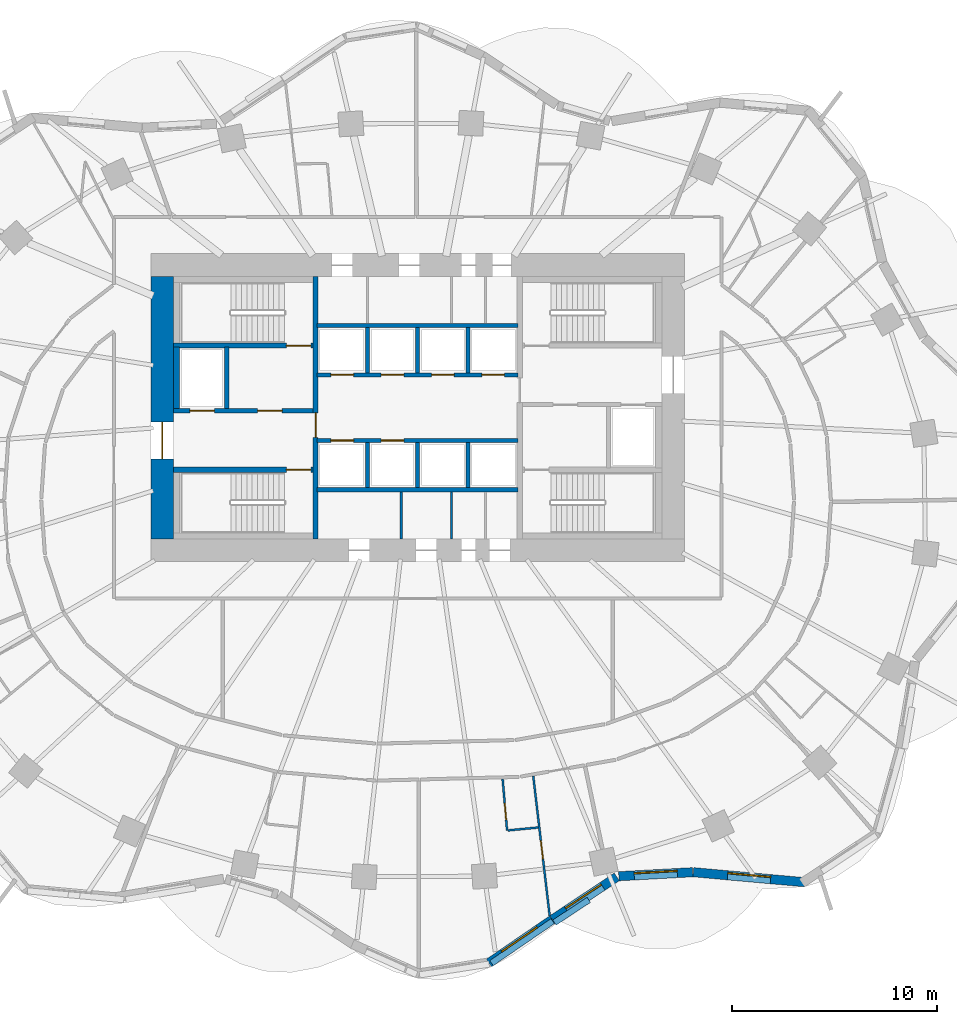
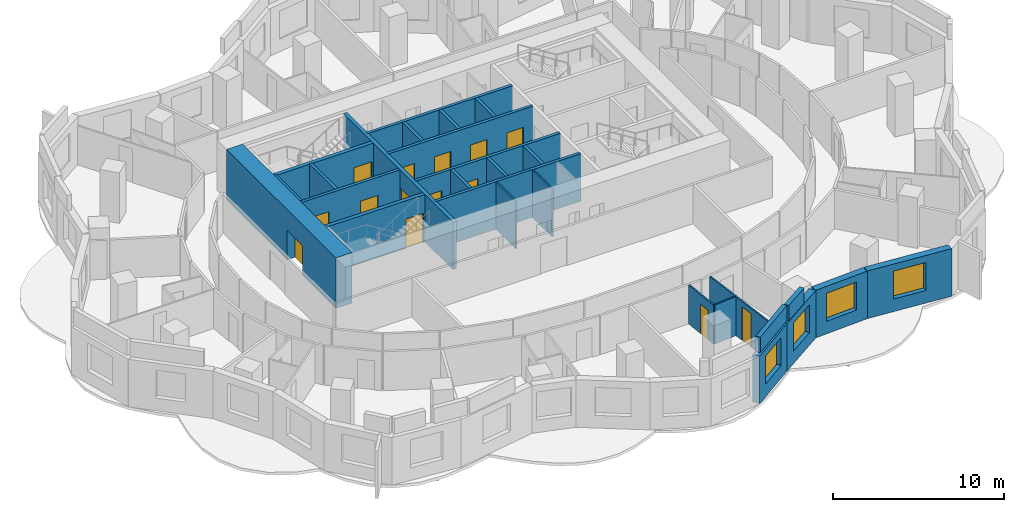
# One storey, part 5 of 11: 28 walls, 14 doors, 4 windows, 18 openings.
"""IFC4 building model written with IfcOpenShell, lengths in metres."""

from ifc_helpers import new_model, si_unit, direction, frame, frame_2d, origin, place, context, subcontext, project, spatial, rectangle, extrude, material, layer, layer_set, type_object, element, fill, save


model = new_model("IFC4")

# Units and contexts
model_context = context("Model", 3, precision=1e-05, world=origin(), true_north=direction((0.0, 1.0)))
body_context = subcontext(model_context, "Body", "Model", "MODEL_VIEW")
ifc_project = project(units=[si_unit("LENGTHUNIT", "METRE"), si_unit("AREAUNIT", "SQUARE_METRE"), si_unit("VOLUMEUNIT", "CUBIC_METRE"), si_unit("PLANEANGLEUNIT", "RADIAN"), si_unit("MASSUNIT", "GRAM", prefix="KILO")], contexts=[model_context])

# Site, building, storey
site_placement = place(None, origin())
site = spatial("IfcSite", under=ifc_project, at=site_placement, CompositionType="ELEMENT")
building_placement = place(site_placement, origin())
building = spatial("IfcBuilding", under=site, at=building_placement, Name="Rubra Terraces Tower", CompositionType="ELEMENT")
storey_placement = place(building_placement, frame((0.0, 0.0, 99.60009765625)))
storey = spatial("IfcBuildingStorey", under=building, at=storey_placement, Name="L23", CompositionType="ELEMENT", Elevation=99.60009765625)

# Wall, opening, window
ifc_material_1 = material(Name="Brick masonry red-brown", Category="masonry")
ifc_layer_1 = layer(ifc_material_1, 0.449951171875)
ifc_layer_set_1 = layer_set([ifc_layer_1], Name="Brick masonry red-brown")
wall_type_1 = type_object("IfcWallType", Name="Brick facade wall 450", PredefinedType="SOLIDWALL", material=ifc_layer_set_1)
wall_1_placement = place(storey_placement, frame((3.478515625, -22.559814453125, 0.0), z_axis=(0.0, 0.0, 1.0), x_axis=(0.824722766417, 0.565537230033, 0.0)))
wall_1 = element("IfcWall", 1, at=wall_1_placement, inside=storey, type_object=wall_type_1, Name="Facade wall L23 bay 32", PredefinedType="SOLIDWALL", context=body_context, shape_type="SweptSolid", body=[
    extrude(rectangle(XDim=3.742431640625, YDim=0.449951171875, at=frame_2d((1.87109375, 0.0))), origin(), (0.0, 0.0, 1.0), 3.39990234375),
])
opening_1_placement = place(wall_1_placement, frame((0.8212890625, 0.0, 0.89990234375)))
opening_1 = element("IfcOpeningElement", 2, at=opening_1_placement, cuts=wall_1, Name="Opening W1", PredefinedType="OPENING", context=body_context, shape_type="SweptSolid", body=[
    extrude(rectangle(XDim=2.10009765625, YDim=2.0, at=frame_2d((1.050048828125, 1.0))), frame((0.0, 0.23486328125, 0.0), z_axis=(0.0, -1.0, 0.0), x_axis=(1.0, 0.0, 0.0)), (0.0, 0.0, 1.0), 0.469970703125),
])
ifc_material_2 = material(Name="Clear glass in aluminium frame", Category="aluminium")
window_type = type_object("IfcWindowType", Name="Fixed deep-set window 2100 x 2000", PartitioningType="SINGLE_PANEL", PredefinedType="WINDOW", material=ifc_material_2)
window_1_placement = place(opening_1_placement, origin())
window_1 = element("IfcWindow", 3, at=window_1_placement, inside=storey, type_object=window_type, Name="Window L23 bay 32", OverallHeight=2.0, OverallWidth=2.10009765625, PartitioningType="SINGLE_PANEL", PredefinedType="WINDOW", context=body_context, shape_type="SweptSolid", body=[
    extrude(rectangle(XDim=2.10009765625, YDim=2.0, at=frame_2d((1.050048828125, 1.0))), frame((0.0, 0.135009765625, 0.0), z_axis=(0.0, -1.0, 0.0), x_axis=(1.0, 0.0, 0.0)), (0.0, 0.0, 1.0), 0.06005859375),
])
fill(opening_1, window_1)

wall_2_placement = place(storey_placement, frame((6.568115234375, -20.44140625, 0.0), z_axis=(0.0, 0.0, 1.0), x_axis=(0.834034214531, 0.551712723246, 0.0)))
wall_2 = element("IfcWall", 4, at=wall_2_placement, inside=storey, type_object=wall_type_1, Name="Facade wall L23 bay 33", PredefinedType="SOLIDWALL", context=body_context, shape_type="SweptSolid", body=[
    extrude(rectangle(XDim=3.75732421875, YDim=0.449951171875, at=frame_2d((1.878662109375, 0.0))), origin(), (0.0, 0.0, 1.0), 3.39990234375),
])
opening_2_placement = place(wall_2_placement, frame((0.82861328125, 0.0, 0.89990234375)))
opening_2 = element("IfcOpeningElement", 5, at=opening_2_placement, cuts=wall_2, Name="Opening W1", PredefinedType="OPENING", context=body_context, shape_type="SweptSolid", body=[
    extrude(rectangle(XDim=2.10009765625, YDim=2.0, at=frame_2d((1.050048828125, 1.0))), frame((0.0, 0.23486328125, 0.0), z_axis=(0.0, -1.0, 0.0), x_axis=(1.0, 0.0, 0.0)), (0.0, 0.0, 1.0), 0.469970703125),
])
window_2_placement = place(opening_2_placement, origin())
window_2 = element("IfcWindow", 6, at=window_2_placement, inside=storey, type_object=window_type, Name="Window L23 bay 33", OverallHeight=2.0, OverallWidth=2.10009765625, PartitioningType="SINGLE_PANEL", PredefinedType="WINDOW", context=body_context, shape_type="SweptSolid", body=[
    extrude(rectangle(XDim=2.10009765625, YDim=2.0, at=frame_2d((1.050048828125, 1.0))), frame((0.0, 0.135009765625, 0.0), z_axis=(0.0, -1.0, 0.0), x_axis=(1.0, 0.0, 0.0)), (0.0, 0.0, 1.0), 0.06005859375),
])
fill(opening_2, window_2)

wall_3_placement = place(storey_placement, frame((9.80322265625, -18.333740234375, 0.0), z_axis=(0.0, 0.0, 1.0), x_axis=(0.998525941495, 0.054276552602, 0.0)))
wall_3 = element("IfcWall", 7, at=wall_3_placement, inside=storey, type_object=wall_type_1, Name="Facade wall L23 bay 34", PredefinedType="SOLIDWALL", context=body_context, shape_type="SweptSolid", body=[
    extrude(rectangle(XDim=3.60302734375, YDim=0.449951171875, at=frame_2d((1.801513671875, 0.0))), origin(), (0.0, 0.0, 1.0), 3.39990234375),
])
opening_3_placement = place(wall_3_placement, frame((0.75146484375, 0.0, 0.89990234375)))
opening_3 = element("IfcOpeningElement", 8, at=opening_3_placement, cuts=wall_3, Name="Opening W1", PredefinedType="OPENING", context=body_context, shape_type="SweptSolid", body=[
    extrude(rectangle(XDim=2.10009765625, YDim=2.0, at=frame_2d((1.050048828125, 1.0))), frame((0.0, 0.23486328125, 0.0), z_axis=(0.0, -1.0, 0.0), x_axis=(1.0, 0.0, 0.0)), (0.0, 0.0, 1.0), 0.469970703125),
])
window_3_placement = place(opening_3_placement, origin())
window_3 = element("IfcWindow", 9, at=window_3_placement, inside=storey, type_object=window_type, Name="Window L23 bay 34", OverallHeight=2.0, OverallWidth=2.10009765625, PartitioningType="SINGLE_PANEL", PredefinedType="WINDOW", context=body_context, shape_type="SweptSolid", body=[
    extrude(rectangle(XDim=2.10009765625, YDim=2.0, at=frame_2d((1.050048828125, 1.0))), frame((0.0, 0.135009765625, 0.0), z_axis=(0.0, -1.0, 0.0), x_axis=(1.0, 0.0, 0.0)), (0.0, 0.0, 1.0), 0.06005859375),
])
fill(opening_3, window_3)

wall_4_placement = place(storey_placement, frame((13.435791015625, -18.1376953125, 0.0), z_axis=(0.0, 0.0, 1.0), x_axis=(0.99598810213, -0.089485755376, 0.0)))
wall_4 = element("IfcWall", 10, at=wall_4_placement, inside=storey, type_object=wall_type_1, Name="Facade wall L23 bay 35", PredefinedType="SOLIDWALL", context=body_context, shape_type="SweptSolid", body=[
    extrude(rectangle(XDim=5.451171875, YDim=0.449951171875, at=frame_2d((2.7255859375, 0.0))), origin(), (0.0, 0.0, 1.0), 3.39990234375),
])
opening_4_placement = place(wall_4_placement, frame((1.675537109375, 0.0, 0.89990234375)))
opening_4 = element("IfcOpeningElement", 11, at=opening_4_placement, cuts=wall_4, Name="Opening W1", PredefinedType="OPENING", context=body_context, shape_type="SweptSolid", body=[
    extrude(rectangle(XDim=2.10009765625, YDim=2.0, at=frame_2d((1.050048828125, 1.0))), frame((0.0, 0.23486328125, 0.0), z_axis=(0.0, -1.0, 0.0), x_axis=(1.0, 0.0, 0.0)), (0.0, 0.0, 1.0), 0.469970703125),
])
window_4_placement = place(opening_4_placement, origin())
window_4 = element("IfcWindow", 12, at=window_4_placement, inside=storey, type_object=window_type, Name="Window L23 bay 35", OverallHeight=2.0, OverallWidth=2.10009765625, PartitioningType="SINGLE_PANEL", PredefinedType="WINDOW", context=body_context, shape_type="SweptSolid", body=[
    extrude(rectangle(XDim=2.10009765625, YDim=2.0, at=frame_2d((1.050048828125, 1.0))), frame((0.0, 0.135009765625, 0.0), z_axis=(0.0, -1.0, 0.0), x_axis=(1.0, 0.0, 0.0)), (0.0, 0.0, 1.0), 0.06005859375),
])
fill(opening_4, window_4)

# Walls
ifc_layer_2 = layer(ifc_material_1, 0.300048828125)
ifc_layer_set_2 = layer_set([ifc_layer_2], Name="Brick masonry red-brown")
wall_type_2 = type_object("IfcWallType", Name="Brick parapet 300", PredefinedType="PARAPET", material=ifc_layer_set_2)
wall_5_placement = place(storey_placement, frame((3.59912109375, -22.56787109375, 3.599853515625), z_axis=(0.0, 0.0, 1.0), x_axis=(0.82476034254, 0.565482428881, 0.0)))
element("IfcWall", 13, at=wall_5_placement, inside=storey, type_object=wall_type_2, Name="Parapet L23 bay 32", PredefinedType="PARAPET", context=body_context, shape_type="SweptSolid", body=[
    extrude(rectangle(XDim=3.61572265625, YDim=0.300048828125, at=frame_2d((1.807861328125, 0.0))), origin(), (0.0, 0.0, 1.0), 1.10009765625),
])
wall_6_placement = place(storey_placement, frame((6.665283203125, -20.593017578125, 3.599853515625), z_axis=(0.0, 0.0, 1.0), x_axis=(0.834027642059, 0.551722658843, 0.0)))
element("IfcWall", 14, at=wall_6_placement, inside=storey, type_object=wall_type_2, Name="Parapet L23 bay 33", PredefinedType="PARAPET", context=body_context, shape_type="SweptSolid", body=[
    extrude(rectangle(XDim=2.008056640625, YDim=0.300048828125, at=frame_2d((1.00390625, 0.0))), origin(), (0.0, 0.0, 1.0), 1.10009765625),
])

# Wall, opening, door
ifc_material_3 = material(Name="Concrete C60", Category="concrete")
ifc_layer_3 = layer(ifc_material_3, 1.10009765625)
ifc_layer_set_3 = layer_set([ifc_layer_3], Name="Concrete C60")
wall_type_3 = type_object("IfcWallType", Name="CORE WALL 1100 C60", PredefinedType="SHEAR", material=ifc_layer_set_3)
wall_7_placement = place(storey_placement, frame((-12.449951171875, -1.89990234375, 0.0), z_axis=(0.0, 0.0, 1.0), x_axis=(0.0, 1.0, 0.0)))
wall_7 = element("IfcWall", 15, at=wall_7_placement, inside=storey, type_object=wall_type_3, Name="CORE WALL W L23", PredefinedType="SHEAR", context=body_context, shape_type="SweptSolid", body=[
    extrude(rectangle(XDim=12.7998046875, YDim=1.10009765625, at=frame_2d((6.39990234375, 0.0))), origin(), (0.0, 0.0, 1.0), 3.599853515625),
])
opening_5_placement = place(wall_7_placement, frame((3.89990234375, 0.0, 0.0)))
opening_5 = element("IfcOpeningElement", 16, at=opening_5_placement, cuts=wall_7, Name="Opening L23.C01", PredefinedType="OPENING", context=body_context, shape_type="SweptSolid", body=[
    extrude(rectangle(XDim=1.800048828125, YDim=2.10009765625, at=frame_2d((0.89990234375, 1.050048828125))), frame((0.0, 0.56005859375, 0.0), z_axis=(0.0, -1.0, 0.0), x_axis=(1.0, 0.0, 0.0)), (0.0, 0.0, 1.0), 1.1201171875),
])
ifc_material_4 = material(Name="Painted steel", Category="steel")
door_type_1 = type_object("IfcDoorType", Name="Fire door 1800x2100 double", OperationType="NOTDEFINED", PredefinedType="DOOR", material=ifc_material_4)
door_1_placement = place(opening_5_placement, origin())
door_1 = element("IfcDoor", 17, at=door_1_placement, inside=storey, type_object=door_type_1, Name="Core entrance door FF1", OperationType="DOUBLE_DOOR_SINGLE_SWING", OverallHeight=2.10009765625, OverallWidth=1.800048828125, PredefinedType="DOOR", context=body_context, shape_type="SweptSolid", body=[
    extrude(rectangle(XDim=1.800048828125, YDim=2.10009765625, at=frame_2d((0.89990234375, 1.050048828125))), frame((0.0, 0.02490234375, 0.0), z_axis=(0.0, -1.0, 0.0), x_axis=(1.0, 0.0, 0.0)), (0.0, 0.0, 1.0), 0.050048828125),
])
fill(opening_5, door_1)

# Wall
ifc_material_5 = material(Name="Concrete C40", Category="concrete")
ifc_layer_4 = layer(ifc_material_5, 0.300048828125)
ifc_layer_set_4 = layer_set([ifc_layer_4], Name="Concrete C40")
wall_type_4 = type_object("IfcWallType", Name="Core lining wall 300 concrete", PredefinedType="SOLIDWALL", material=ifc_layer_set_4)
wall_8_placement = place(storey_placement, frame((-11.75, 4.449951171875, 0.0), z_axis=(0.0, 0.0, 1.0), x_axis=(0.0, 1.0, 0.0)))
element("IfcWall", 18, at=wall_8_placement, inside=storey, type_object=wall_type_4, Name="CORE LINING WALL L23", PredefinedType="SOLIDWALL", context=body_context, shape_type="SweptSolid", body=[
    extrude(rectangle(XDim=3.0, YDim=0.300048828125, at=frame_2d((1.5, 0.0))), origin(), (0.0, 0.0, 1.0), 3.39990234375),
])

# Wall, openings, doors
ifc_material_6 = material(Name="Concrete C30", Category="concrete")
ifc_layer_5 = layer(ifc_material_6, 0.199951171875)
ifc_layer_set_5 = layer_set([ifc_layer_5], Name="Concrete C30")
wall_type_5 = type_object("IfcWallType", Name="Core wall 200 concrete", PredefinedType="SOLIDWALL", material=ifc_layer_set_5)
wall_9_placement = place(storey_placement, frame((-11.89990234375, 4.35009765625, 0.0), z_axis=(0.0, 0.0, 1.0), x_axis=(1.0, 0.0, 0.0)))
wall_9 = element("IfcWall", 19, at=wall_9_placement, inside=storey, type_object=wall_type_5, Name="STAIR WALL L23", PredefinedType="SOLIDWALL", context=body_context, shape_type="SweptSolid", body=[
    extrude(rectangle(XDim=6.7998046875, YDim=0.199951171875, at=frame_2d((3.39990234375, 0.0))), origin(), (0.0, 0.0, 1.0), 3.39990234375),
])
opening_6_placement = place(wall_9_placement, frame((4.10009765625, 0.0, 0.0)))
opening_6 = element("IfcOpeningElement", 20, at=opening_6_placement, cuts=wall_9, Name="Opening L23.C05", PredefinedType="OPENING", context=body_context, shape_type="SweptSolid", body=[
    extrude(rectangle(XDim=1.199951171875, YDim=2.10009765625, at=frame_2d((0.60009765625, 1.050048828125))), frame((0.0, 0.10986328125, 0.0), z_axis=(0.0, -1.0, 0.0), x_axis=(1.0, 0.0, 0.0)), (0.0, 0.0, 1.0), 0.219970703125),
])
opening_7_placement = place(wall_9_placement, frame((0.800048828125, 0.0, 0.0)))
opening_7 = element("IfcOpeningElement", 21, at=opening_7_placement, cuts=wall_9, Name="Opening L23.C11", PredefinedType="OPENING", context=body_context, shape_type="SweptSolid", body=[
    extrude(rectangle(XDim=1.199951171875, YDim=2.10009765625, at=frame_2d((0.60009765625, 1.050048828125))), frame((0.0, 0.10986328125, 0.0), z_axis=(0.0, -1.0, 0.0), x_axis=(1.0, 0.0, 0.0)), (0.0, 0.0, 1.0), 0.219970703125),
])
door_type_2 = type_object("IfcDoorType", Name="Fire door 1200x2100 single", OperationType="NOTDEFINED", PredefinedType="DOOR", material=ifc_material_4)
door_2_placement = place(opening_6_placement, origin())
door_2 = element("IfcDoor", 22, at=door_2_placement, inside=storey, type_object=door_type_2, Name="Stair vestibule door S2", OperationType="SINGLE_SWING_LEFT", OverallHeight=2.10009765625, OverallWidth=1.199951171875, PredefinedType="DOOR", context=body_context, shape_type="SweptSolid", body=[
    extrude(rectangle(XDim=1.199951171875, YDim=2.10009765625, at=frame_2d((0.60009765625, 1.050048828125))), frame((0.0, 0.02490234375, 0.0), z_axis=(0.0, -1.0, 0.0), x_axis=(1.0, 0.0, 0.0)), (0.0, 0.0, 1.0), 0.050048828125),
])
fill(opening_6, door_2)
ifc_material_7 = material(Name="Stainless steel", Category="steel")
door_type_3 = type_object("IfcDoorType", Name="Lift landing door 1200x2100", OperationType="NOTDEFINED", PredefinedType="DOOR", material=ifc_material_7)
door_3_placement = place(opening_7_placement, origin())
door_3 = element("IfcDoor", 23, at=door_3_placement, inside=storey, type_object=door_type_3, Name="Landing door FF1", OperationType="SLIDING_TO_RIGHT", OverallHeight=2.10009765625, OverallWidth=1.199951171875, PredefinedType="DOOR", context=body_context, shape_type="SweptSolid", body=[
    extrude(rectangle(XDim=1.199951171875, YDim=2.10009765625, at=frame_2d((0.60009765625, 1.050048828125))), frame((0.0, 0.02490234375, 0.0), z_axis=(0.0, -1.0, 0.0), x_axis=(1.0, 0.0, 0.0)), (0.0, 0.0, 1.0), 0.050048828125),
])
fill(opening_7, door_3)

# Walls
wall_10_placement = place(storey_placement, frame((-9.300048828125, 4.449951171875, 0.0), z_axis=(0.0, 0.0, 1.0), x_axis=(0.0, 1.0, 0.0)))
element("IfcWall", 24, at=wall_10_placement, inside=storey, type_object=wall_type_5, Name="STAIR WALL L23", PredefinedType="SOLIDWALL", context=body_context, shape_type="SweptSolid", body=[
    extrude(rectangle(XDim=3.0, YDim=0.199951171875, at=frame_2d((1.5, 0.0))), origin(), (0.0, 0.0, 1.0), 3.39990234375),
])
wall_11_placement = place(storey_placement, frame((-4.89990234375, 0.5, 0.0), z_axis=(0.0, 0.0, 1.0), x_axis=(1.0, 0.0, 0.0)))
element("IfcWall", 25, at=wall_11_placement, inside=storey, type_object=wall_type_5, Name="LIFT SHAFT WALL L23", PredefinedType="SOLIDWALL", context=body_context, shape_type="SweptSolid", body=[
    extrude(rectangle(XDim=9.7998046875, YDim=0.199951171875, at=frame_2d((4.89990234375, 0.0))), origin(), (0.0, 0.0, 1.0), 3.39990234375),
])

# Wall, openings, doors
wall_12_placement = place(storey_placement, frame((-4.89990234375, 2.89990234375, 0.0), z_axis=(0.0, 0.0, 1.0), x_axis=(1.0, 0.0, 0.0)))
wall_12 = element("IfcWall", 26, at=wall_12_placement, inside=storey, type_object=wall_type_5, Name="LIFT SHAFT WALL L23", PredefinedType="SOLIDWALL", context=body_context, shape_type="SweptSolid", body=[
    extrude(rectangle(XDim=9.7998046875, YDim=0.199951171875, at=frame_2d((4.89990234375, 0.0))), origin(), (0.0, 0.0, 1.0), 3.39990234375),
])
opening_8_placement = place(wall_12_placement, frame((0.675048828125, 0.0, 0.0)))
opening_8 = element("IfcOpeningElement", 27, at=opening_8_placement, cuts=wall_12, Name="Opening L23.C13", PredefinedType="OPENING", context=body_context, shape_type="SweptSolid", body=[
    extrude(rectangle(XDim=1.10009765625, YDim=2.10009765625, at=frame_2d((0.550048828125, 1.050048828125))), frame((0.0, 0.10986328125, 0.0), z_axis=(0.0, -1.0, 0.0), x_axis=(1.0, 0.0, 0.0)), (0.0, 0.0, 1.0), 0.219970703125),
])
opening_9_placement = place(wall_12_placement, frame((3.125, 0.0, 0.0)))
opening_9 = element("IfcOpeningElement", 28, at=opening_9_placement, cuts=wall_12, Name="Opening L23.C14", PredefinedType="OPENING", context=body_context, shape_type="SweptSolid", body=[
    extrude(rectangle(XDim=1.10009765625, YDim=2.10009765625, at=frame_2d((0.550048828125, 1.050048828125))), frame((0.0, 0.10986328125, 0.0), z_axis=(0.0, -1.0, 0.0), x_axis=(1.0, 0.0, 0.0)), (0.0, 0.0, 1.0), 0.219970703125),
])
door_type_4 = type_object("IfcDoorType", Name="Lift landing door 1100x2100", OperationType="NOTDEFINED", PredefinedType="DOOR", material=ifc_material_7)
door_4_placement = place(opening_8_placement, origin())
door_4 = element("IfcDoor", 29, at=door_4_placement, inside=storey, type_object=door_type_4, Name="Landing door LB1", OperationType="SLIDING_TO_RIGHT", OverallHeight=2.10009765625, OverallWidth=1.10009765625, PredefinedType="DOOR", context=body_context, shape_type="SweptSolid", body=[
    extrude(rectangle(XDim=1.10009765625, YDim=2.10009765625, at=frame_2d((0.550048828125, 1.050048828125))), frame((0.0, 0.02490234375, 0.0), z_axis=(0.0, -1.0, 0.0), x_axis=(1.0, 0.0, 0.0)), (0.0, 0.0, 1.0), 0.050048828125),
])
fill(opening_8, door_4)
door_5_placement = place(opening_9_placement, origin())
door_5 = element("IfcDoor", 30, at=door_5_placement, inside=storey, type_object=door_type_4, Name="Landing door LB2", OperationType="SLIDING_TO_LEFT", OverallHeight=2.10009765625, OverallWidth=1.10009765625, PredefinedType="DOOR", context=body_context, shape_type="SweptSolid", body=[
    extrude(rectangle(XDim=1.10009765625, YDim=2.10009765625, at=frame_2d((0.550048828125, 1.050048828125))), frame((0.0, 0.02490234375, 0.0), z_axis=(0.0, -1.0, 0.0), x_axis=(1.0, 0.0, 0.0)), (0.0, 0.0, 1.0), 0.050048828125),
])
fill(opening_9, door_5)

wall_13_placement = place(storey_placement, frame((-4.89990234375, 6.10009765625, 0.0), z_axis=(0.0, 0.0, 1.0), x_axis=(1.0, 0.0, 0.0)))
wall_13 = element("IfcWall", 31, at=wall_13_placement, inside=storey, type_object=wall_type_5, Name="LIFT SHAFT WALL L23", PredefinedType="SOLIDWALL", context=body_context, shape_type="SweptSolid", body=[
    extrude(rectangle(XDim=9.7998046875, YDim=0.199951171875, at=frame_2d((4.89990234375, 0.0))), origin(), (0.0, 0.0, 1.0), 3.39990234375),
])
opening_10_placement = place(wall_13_placement, frame((0.675048828125, 0.0, 0.0)))
opening_10 = element("IfcOpeningElement", 32, at=opening_10_placement, cuts=wall_13, Name="Opening L23.C15", PredefinedType="OPENING", context=body_context, shape_type="SweptSolid", body=[
    extrude(rectangle(XDim=1.10009765625, YDim=2.10009765625, at=frame_2d((0.550048828125, 1.050048828125))), frame((0.0, 0.10986328125, 0.0), z_axis=(0.0, -1.0, 0.0), x_axis=(1.0, 0.0, 0.0)), (0.0, 0.0, 1.0), 0.219970703125),
])
opening_11_placement = place(wall_13_placement, frame((3.125, 0.0, 0.0)))
opening_11 = element("IfcOpeningElement", 33, at=opening_11_placement, cuts=wall_13, Name="Opening L23.C16", PredefinedType="OPENING", context=body_context, shape_type="SweptSolid", body=[
    extrude(rectangle(XDim=1.10009765625, YDim=2.10009765625, at=frame_2d((0.550048828125, 1.050048828125))), frame((0.0, 0.10986328125, 0.0), z_axis=(0.0, -1.0, 0.0), x_axis=(1.0, 0.0, 0.0)), (0.0, 0.0, 1.0), 0.219970703125),
])
opening_12_placement = place(wall_13_placement, frame((5.574951171875, 0.0, 0.0)))
opening_12 = element("IfcOpeningElement", 34, at=opening_12_placement, cuts=wall_13, Name="Opening L23.C17", PredefinedType="OPENING", context=body_context, shape_type="SweptSolid", body=[
    extrude(rectangle(XDim=1.10009765625, YDim=2.10009765625, at=frame_2d((0.550048828125, 1.050048828125))), frame((0.0, 0.10986328125, 0.0), z_axis=(0.0, -1.0, 0.0), x_axis=(1.0, 0.0, 0.0)), (0.0, 0.0, 1.0), 0.219970703125),
])
opening_13_placement = place(wall_13_placement, frame((8.02490234375, 0.0, 0.0)))
opening_13 = element("IfcOpeningElement", 35, at=opening_13_placement, cuts=wall_13, Name="Opening L23.C18", PredefinedType="OPENING", context=body_context, shape_type="SweptSolid", body=[
    extrude(rectangle(XDim=1.10009765625, YDim=2.10009765625, at=frame_2d((0.550048828125, 1.050048828125))), frame((0.0, 0.10986328125, 0.0), z_axis=(0.0, -1.0, 0.0), x_axis=(1.0, 0.0, 0.0)), (0.0, 0.0, 1.0), 0.219970703125),
])
door_6_placement = place(opening_10_placement, origin())
door_6 = element("IfcDoor", 36, at=door_6_placement, inside=storey, type_object=door_type_4, Name="Landing door LB3", OperationType="SLIDING_TO_RIGHT", OverallHeight=2.10009765625, OverallWidth=1.10009765625, PredefinedType="DOOR", context=body_context, shape_type="SweptSolid", body=[
    extrude(rectangle(XDim=1.10009765625, YDim=2.10009765625, at=frame_2d((0.550048828125, 1.050048828125))), frame((0.0, 0.02490234375, 0.0), z_axis=(0.0, -1.0, 0.0), x_axis=(1.0, 0.0, 0.0)), (0.0, 0.0, 1.0), 0.050048828125),
])
fill(opening_10, door_6)
door_7_placement = place(opening_11_placement, origin())
door_7 = element("IfcDoor", 37, at=door_7_placement, inside=storey, type_object=door_type_4, Name="Landing door LB4", OperationType="SLIDING_TO_LEFT", OverallHeight=2.10009765625, OverallWidth=1.10009765625, PredefinedType="DOOR", context=body_context, shape_type="SweptSolid", body=[
    extrude(rectangle(XDim=1.10009765625, YDim=2.10009765625, at=frame_2d((0.550048828125, 1.050048828125))), frame((0.0, 0.02490234375, 0.0), z_axis=(0.0, -1.0, 0.0), x_axis=(1.0, 0.0, 0.0)), (0.0, 0.0, 1.0), 0.050048828125),
])
fill(opening_11, door_7)
door_8_placement = place(opening_12_placement, origin())
door_8 = element("IfcDoor", 38, at=door_8_placement, inside=storey, type_object=door_type_4, Name="Landing door LB5", OperationType="SLIDING_TO_RIGHT", OverallHeight=2.10009765625, OverallWidth=1.10009765625, PredefinedType="DOOR", context=body_context, shape_type="SweptSolid", body=[
    extrude(rectangle(XDim=1.10009765625, YDim=2.10009765625, at=frame_2d((0.550048828125, 1.050048828125))), frame((0.0, 0.02490234375, 0.0), z_axis=(0.0, -1.0, 0.0), x_axis=(1.0, 0.0, 0.0)), (0.0, 0.0, 1.0), 0.050048828125),
])
fill(opening_12, door_8)
door_9_placement = place(opening_13_placement, origin())
door_9 = element("IfcDoor", 39, at=door_9_placement, inside=storey, type_object=door_type_4, Name="Landing door LB6", OperationType="SLIDING_TO_LEFT", OverallHeight=2.10009765625, OverallWidth=1.10009765625, PredefinedType="DOOR", context=body_context, shape_type="SweptSolid", body=[
    extrude(rectangle(XDim=1.10009765625, YDim=2.10009765625, at=frame_2d((0.550048828125, 1.050048828125))), frame((0.0, 0.02490234375, 0.0), z_axis=(0.0, -1.0, 0.0), x_axis=(1.0, 0.0, 0.0)), (0.0, 0.0, 1.0), 0.050048828125),
])
fill(opening_13, door_9)

# Walls
wall_14_placement = place(storey_placement, frame((-4.89990234375, 8.5, 0.0), z_axis=(0.0, 0.0, 1.0), x_axis=(1.0, 0.0, 0.0)))
element("IfcWall", 40, at=wall_14_placement, inside=storey, type_object=wall_type_5, Name="LIFT SHAFT WALL L23", PredefinedType="SOLIDWALL", context=body_context, shape_type="SweptSolid", body=[
    extrude(rectangle(XDim=9.7998046875, YDim=0.199951171875, at=frame_2d((4.89990234375, 0.0))), origin(), (0.0, 0.0, 1.0), 3.39990234375),
])
for number, where, z_axis, x_axis, name in (
    (41, (-2.449951171875, 0.60009765625, 0.0), (0.0, 0.0, 1.0), (0.0, 1.0, 0.0), "LIFT SHAFT WALL L23"),
    (42, (0.0, 0.60009765625, 0.0), (0.0, 0.0, 1.0), (0.0, 1.0, 0.0), "LIFT SHAFT WALL L23"),
    (43, (2.449951171875, 0.60009765625, 0.0), (0.0, 0.0, 1.0), (0.0, 1.0, 0.0), "LIFT SHAFT WALL L23"),
    (44, (-2.449951171875, 6.199951171875, 0.0), (0.0, 0.0, 1.0), (0.0, 1.0, 0.0), "LIFT SHAFT WALL L23"),
    (45, (0.0, 6.199951171875, 0.0), (0.0, 0.0, 1.0), (0.0, 1.0, 0.0), "LIFT SHAFT WALL L23"),
    (46, (2.449951171875, 6.199951171875, 0.0), (0.0, 0.0, 1.0), (0.0, 1.0, 0.0), "LIFT SHAFT WALL L23"),
):
    element("IfcWall", number, at=place(storey_placement, frame(where, z_axis=z_axis, x_axis=x_axis)), inside=storey, type_object=wall_type_5, Name=name, PredefinedType="SOLIDWALL", context=body_context, shape_type="SweptSolid", body=[
        extrude(rectangle(XDim=2.199951171875, YDim=0.199951171875, at=frame_2d((1.10009765625, 0.0))), origin(), (0.0, 0.0, 1.0), 3.39990234375),
    ])

# Wall, opening, door
ifc_material_8 = material(Name="Plasterboard on steel stud", Category="steel")
ifc_layer_6 = layer(ifc_material_8, 0.10009765625)
ifc_layer_set_6 = layer_set([ifc_layer_6], Name="Plasterboard on steel stud")
wall_type_6 = type_object("IfcWallType", Name="ROOM PARTITION 100", PredefinedType="PARTITIONING", material=ifc_layer_set_6)
wall_15_placement = place(storey_placement, frame((6.433349609375, -20.256103515625, 0.0), z_axis=(0.0, 0.0, 1.0), x_axis=(-0.116866039573, 0.993147687303, 0.0)))
wall_15 = element("IfcWall", 47, at=wall_15_placement, inside=storey, type_object=wall_type_6, Name="PARTITION", PredefinedType="PARTITIONING", context=body_context, shape_type="SweptSolid", body=[
    extrude(rectangle(XDim=6.856201171875, YDim=0.10009765625, at=frame_2d((3.42822265625, 0.0))), origin(), (0.0, 0.0, 1.0), 2.783935546875),
])
opening_14_placement = place(wall_15_placement, frame((2.781005859375, 0.0, 0.0)))
opening_14 = element("IfcOpeningElement", 48, at=opening_14_placement, cuts=wall_15, Name="Opening 23-114", PredefinedType="OPENING", context=body_context, shape_type="SweptSolid", body=[
    extrude(rectangle(XDim=0.89990234375, YDim=2.39990234375, at=frame_2d((0.449951171875, 1.199951171875))), frame((0.0, 0.06005859375, 0.0), z_axis=(0.0, -1.0, 0.0), x_axis=(1.0, 0.0, 0.0)), (0.0, 0.0, 1.0), 0.1201171875),
])
ifc_material_9 = material(Name="Veneered timber door leaf, fire-rated", Category="wood")
door_type_5 = type_object("IfcDoorType", Name="SUITE ENTRANCE DOOR 900 X 2400", OperationType="SINGLE_SWING_LEFT", PredefinedType="DOOR", material=ifc_material_9)
door_10_placement = place(opening_14_placement, origin())
door_10 = element("IfcDoor", 49, at=door_10_placement, inside=storey, type_object=door_type_5, Name="DOOR 23-114", OperationType="SINGLE_SWING_LEFT", OverallHeight=2.39990234375, OverallWidth=0.89990234375, PredefinedType="DOOR", context=body_context, shape_type="SweptSolid", body=[
    extrude(rectangle(XDim=0.89990234375, YDim=2.39990234375, at=frame_2d((0.449951171875, 1.199951171875))), frame((0.0, 0.02490234375, 0.0), z_axis=(0.0, -1.0, 0.0), x_axis=(1.0, 0.0, 0.0)), (0.0, 0.0, 1.0), 0.050048828125),
])
fill(opening_14, door_10)

wall_16_placement = place(storey_placement, frame((4.140380859375, -13.5888671875, 0.0), z_axis=(0.0, 0.0, 1.0), x_axis=(0.085765885777, -0.996315317978, 0.0)))
wall_16 = element("IfcWall", 50, at=wall_16_placement, inside=storey, type_object=wall_type_6, Name="PARTITION", PredefinedType="PARTITIONING", context=body_context, shape_type="SweptSolid", body=[
    extrude(rectangle(XDim=2.52490234375, YDim=0.10009765625, at=frame_2d((1.262451171875, 0.0))), origin(), (0.0, 0.0, 1.0), 2.783935546875),
])
opening_15_placement = place(wall_16_placement, frame((1.199951171875, 0.0, 0.0)))
opening_15 = element("IfcOpeningElement", 51, at=opening_15_placement, cuts=wall_16, Name="Opening 23-113", PredefinedType="OPENING", context=body_context, shape_type="SweptSolid", body=[
    extrude(rectangle(XDim=0.800048828125, YDim=2.10009765625, at=frame_2d((0.39990234375, 1.050048828125))), frame((0.0, 0.06005859375, 0.0), z_axis=(0.0, -1.0, 0.0), x_axis=(1.0, 0.0, 0.0)), (0.0, 0.0, 1.0), 0.1201171875),
])
ifc_material_10 = material(Name="Painted timber door leaf", Category="wood")
door_type_6 = type_object("IfcDoorType", Name="BATHROOM DOOR 800 X 2100", OperationType="SINGLE_SWING_LEFT", PredefinedType="DOOR", material=ifc_material_10)
door_11_placement = place(opening_15_placement, origin())
door_11 = element("IfcDoor", 52, at=door_11_placement, inside=storey, type_object=door_type_6, Name="DOOR 23-113", OperationType="SINGLE_SWING_LEFT", OverallHeight=2.10009765625, OverallWidth=0.800048828125, PredefinedType="DOOR", context=body_context, shape_type="SweptSolid", body=[
    extrude(rectangle(XDim=0.800048828125, YDim=2.10009765625, at=frame_2d((0.39990234375, 1.050048828125))), frame((0.0, 0.02490234375, 0.0), z_axis=(0.0, -1.0, 0.0), x_axis=(1.0, 0.0, 0.0)), (0.0, 0.0, 1.0), 0.050048828125),
])
fill(opening_15, door_11)

# Walls
wall_17_placement = place(storey_placement, frame((4.40673828125, -16.099853515625, 0.0), z_axis=(0.0, 0.0, 1.0), x_axis=(0.995458255501, 0.095199062787, 0.0)))
element("IfcWall", 53, at=wall_17_placement, inside=storey, type_object=wall_type_6, Name="PARTITION", PredefinedType="PARTITIONING", context=body_context, shape_type="SweptSolid", body=[
    extrude(rectangle(XDim=1.47705078125, YDim=0.10009765625, at=frame_2d((0.738525390625, 0.0))), origin(), (0.0, 0.0, 1.0), 2.783935546875),
])
ifc_material_11 = material(Name="Blockwork", Category="masonry")
ifc_layer_7 = layer(ifc_material_11, 0.10009765625)
ifc_layer_set_7 = layer_set([ifc_layer_7], Name="Blockwork")
wall_type_7 = type_object("IfcWallType", Name="Service partition 100 blockwork", PredefinedType="PARTITIONING", material=ifc_layer_set_7)
for number, where, z_axis, x_axis, name in (
    (54, (-0.800048828125, -1.89990234375, 0.0), (0.0, 0.0, 1.0), (0.0, 1.0, 0.0), "SERVICE ROOM PARTITION L23"),
    (55, (1.64990234375, -1.89990234375, 0.0), (0.0, 0.0, 1.0), (0.0, 1.0, 0.0), "SERVICE ROOM PARTITION L23"),
):
    element("IfcWall", number, at=place(storey_placement, frame(where, z_axis=z_axis, x_axis=x_axis)), inside=storey, type_object=wall_type_7, Name=name, PredefinedType="PARTITIONING", context=body_context, shape_type="SweptSolid", body=[
        extrude(rectangle(XDim=2.2998046875, YDim=0.10009765625, at=frame_2d((1.14990234375, 0.0))), origin(), (0.0, 0.0, 1.0), 3.39990234375),
    ])

# Wall, opening, door
ifc_layer_8 = layer(ifc_material_5, 0.25)
ifc_layer_set_8 = layer_set([ifc_layer_8], Name="Concrete C40")
wall_type_8 = type_object("IfcWallType", Name="Stair enclosure wall 250 concrete", PredefinedType="SOLIDWALL", material=ifc_layer_set_8)
wall_18_placement = place(storey_placement, frame((-11.89990234375, 1.47509765625, 0.0), z_axis=(0.0, 0.0, 1.0), x_axis=(1.0, 0.0, 0.0)))
wall_18 = element("IfcWall", 56, at=wall_18_placement, inside=storey, type_object=wall_type_8, Name="STAIR WALL L23", PredefinedType="SOLIDWALL", context=body_context, shape_type="SweptSolid", body=[
    extrude(rectangle(XDim=6.7998046875, YDim=0.25, at=frame_2d((3.39990234375, 0.0))), origin(), (0.0, 0.0, 1.0), 3.39990234375),
])
opening_16_placement = place(wall_18_placement, frame((5.5, 0.0, 0.0)))
opening_16 = element("IfcOpeningElement", 57, at=opening_16_placement, cuts=wall_18, Name="Opening L23.C07", PredefinedType="OPENING", context=body_context, shape_type="SweptSolid", body=[
    extrude(rectangle(XDim=1.199951171875, YDim=2.10009765625, at=frame_2d((0.60009765625, 1.050048828125))), frame((0.0, 0.135009765625, 0.0), z_axis=(0.0, -1.0, 0.0), x_axis=(1.0, 0.0, 0.0)), (0.0, 0.0, 1.0), 0.27001953125),
])
door_12_placement = place(opening_16_placement, origin())
door_12 = element("IfcDoor", 58, at=door_12_placement, inside=storey, type_object=door_type_2, Name="Stair door S1", OperationType="SINGLE_SWING_LEFT", OverallHeight=2.10009765625, OverallWidth=1.199951171875, PredefinedType="DOOR", context=body_context, shape_type="SweptSolid", body=[
    extrude(rectangle(XDim=1.199951171875, YDim=2.10009765625, at=frame_2d((0.60009765625, 1.050048828125))), frame((0.0, 0.02490234375, 0.0), z_axis=(0.0, -1.0, 0.0), x_axis=(1.0, 0.0, 0.0)), (0.0, 0.0, 1.0), 0.050048828125),
])
fill(opening_16, door_12)

wall_19_placement = place(storey_placement, frame((-11.89990234375, 7.52490234375, 0.0), z_axis=(0.0, 0.0, 1.0), x_axis=(1.0, 0.0, 0.0)))
wall_19 = element("IfcWall", 59, at=wall_19_placement, inside=storey, type_object=wall_type_8, Name="STAIR WALL L23", PredefinedType="SOLIDWALL", context=body_context, shape_type="SweptSolid", body=[
    extrude(rectangle(XDim=6.7998046875, YDim=0.25, at=frame_2d((3.39990234375, 0.0))), origin(), (0.0, 0.0, 1.0), 3.39990234375),
])
opening_17_placement = place(wall_19_placement, frame((5.5, 0.0, 0.0)))
opening_17 = element("IfcOpeningElement", 60, at=opening_17_placement, cuts=wall_19, Name="Opening L23.C09", PredefinedType="OPENING", context=body_context, shape_type="SweptSolid", body=[
    extrude(rectangle(XDim=1.199951171875, YDim=2.10009765625, at=frame_2d((0.60009765625, 1.050048828125))), frame((0.0, 0.135009765625, 0.0), z_axis=(0.0, -1.0, 0.0), x_axis=(1.0, 0.0, 0.0)), (0.0, 0.0, 1.0), 0.27001953125),
])
door_13_placement = place(opening_17_placement, origin())
door_13 = element("IfcDoor", 61, at=door_13_placement, inside=storey, type_object=door_type_2, Name="Stair door S2", OperationType="SINGLE_SWING_LEFT", OverallHeight=2.10009765625, OverallWidth=1.199951171875, PredefinedType="DOOR", context=body_context, shape_type="SweptSolid", body=[
    extrude(rectangle(XDim=1.199951171875, YDim=2.10009765625, at=frame_2d((0.60009765625, 1.050048828125))), frame((0.0, 0.02490234375, 0.0), z_axis=(0.0, -1.0, 0.0), x_axis=(1.0, 0.0, 0.0)), (0.0, 0.0, 1.0), 0.050048828125),
])
fill(opening_17, door_13)

wall_20_placement = place(storey_placement, frame((-4.97509765625, -1.89990234375, 0.0), z_axis=(0.0, 0.0, 1.0), x_axis=(0.0, 1.0, 0.0)))
wall_20 = element("IfcWall", 62, at=wall_20_placement, inside=storey, type_object=wall_type_8, Name="CORE LOBBY WALL L23", PredefinedType="SOLIDWALL", context=body_context, shape_type="SweptSolid", body=[
    extrude(rectangle(XDim=12.7998046875, YDim=0.25, at=frame_2d((6.39990234375, 0.0))), origin(), (0.0, 0.0, 1.0), 3.39990234375),
])
opening_18_placement = place(wall_20_placement, frame((4.949951171875, 0.0, 0.0)))
opening_18 = element("IfcOpeningElement", 63, at=opening_18_placement, cuts=wall_20, Name="Opening L23.C03", PredefinedType="OPENING", context=body_context, shape_type="SweptSolid", body=[
    extrude(rectangle(XDim=1.199951171875, YDim=2.10009765625, at=frame_2d((0.60009765625, 1.050048828125))), frame((0.0, 0.135009765625, 0.0), z_axis=(0.0, -1.0, 0.0), x_axis=(1.0, 0.0, 0.0)), (0.0, 0.0, 1.0), 0.27001953125),
])
door_14_placement = place(opening_18_placement, origin())
door_14 = element("IfcDoor", 64, at=door_14_placement, inside=storey, type_object=door_type_2, Name="Firefighting lobby door FF1", OperationType="SINGLE_SWING_LEFT", OverallHeight=2.10009765625, OverallWidth=1.199951171875, PredefinedType="DOOR", context=body_context, shape_type="SweptSolid", body=[
    extrude(rectangle(XDim=1.199951171875, YDim=2.10009765625, at=frame_2d((0.60009765625, 1.050048828125))), frame((0.0, 0.02490234375, 0.0), z_axis=(0.0, -1.0, 0.0), x_axis=(1.0, 0.0, 0.0)), (0.0, 0.0, 1.0), 0.050048828125),
])
fill(opening_18, door_14)

save(model, "model.ifc")
